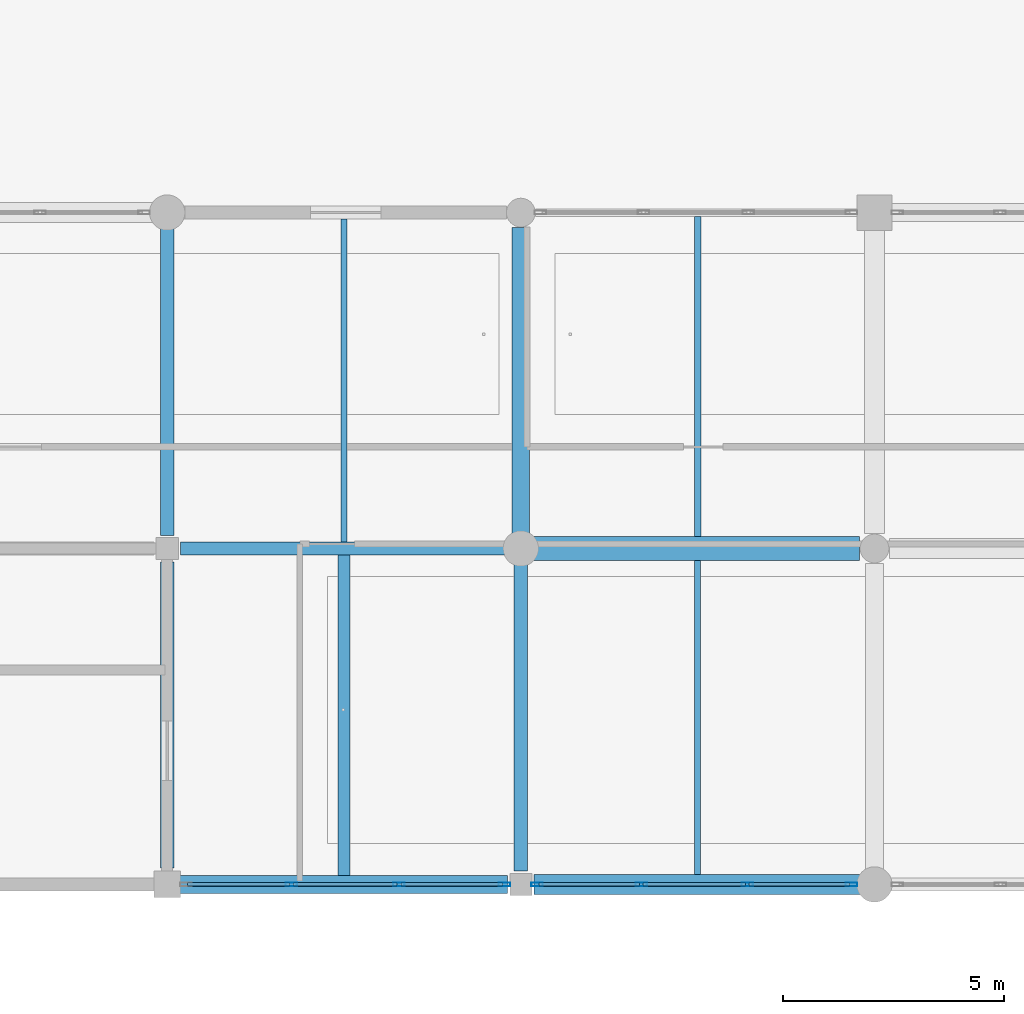
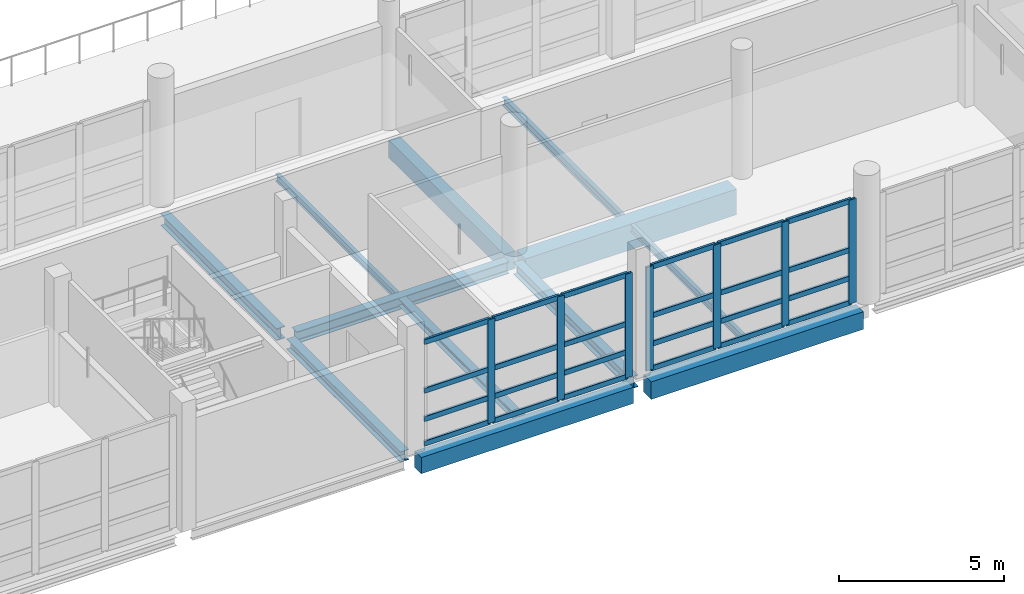
# One storey, part 26 of 147: 31 members, 12 beams, 2 elements without a shape of their own.
"""IFC4 building model written with IfcOpenShell, lengths in metres."""

from ifc_helpers import new_model, si_unit, direction, frame, origin, origin_2d, place, context, subcontext, project, spatial, rectangle, hollow_rectangle, i_section, extrude, material, material_profile, profile_set, type_object, element, aggregate, save


model = new_model("IFC4")

# Units and contexts
model_context = context("Model", 3, precision=1e-05, world=origin(), true_north=direction((0.0, 1.0)))
body_context = subcontext(model_context, "Body", "Model", "MODEL_VIEW")
ifc_project = project(units=[si_unit("LENGTHUNIT", "METRE"), si_unit("AREAUNIT", "SQUARE_METRE"), si_unit("VOLUMEUNIT", "CUBIC_METRE"), si_unit("PLANEANGLEUNIT", "RADIAN"), si_unit("MASSUNIT", "GRAM", prefix="KILO")], contexts=[model_context])

# Site, building, storey
site_placement = place(None, origin())
site = spatial("IfcSite", under=ifc_project, at=site_placement, CompositionType="ELEMENT")
building_placement = place(site_placement, origin())
building = spatial("IfcBuilding", under=site, at=building_placement, Name="Khelvaren Railside Concert Hall", CompositionType="ELEMENT")
storey_placement = place(building_placement, frame((0.0, 0.0, 5.39990234375)))
storey = spatial("IfcBuildingStorey", under=building, at=storey_placement, Name="L01", CompositionType="ELEMENT", Elevation=5.39990234375)

# Beams
ifc_material_1 = material(Name="Steel S355", Category="steel")
ifc_material_profile_1 = material_profile(ifc_material_1, i_section(OverallWidth=0.300048828125, OverallDepth=0.389892578125, WebThickness=0.010986328125, FlangeThickness=0.01904296875, FilletRadius=0.027099609375, at=origin_2d()), Name="HEA 400")
ifc_profile_set_1 = profile_set([ifc_material_profile_1], Name="Steel S355")
beam_type_1 = type_object("IfcBeamType", Name="BM23", PredefinedType="BEAM", material=ifc_profile_set_1)
beam_1_placement = place(storey_placement, frame((80.0, 0.375, -0.494873046875), z_axis=(0.0, 1.0, 0.0), x_axis=(-1.0, 0.0, 0.0)))
element("IfcBeam", 1, at=beam_1_placement, inside=storey, type_object=beam_type_1, Name="V3 L01 Beam Y3.1", PredefinedType="BEAM", context=body_context, shape_type="SweptSolid", body=[
    extrude(i_section(OverallWidth=0.300048828125, OverallDepth=0.389892578125, WebThickness=0.010986328125, FlangeThickness=0.01904296875, FilletRadius=0.027099609375, at=origin_2d()), origin(), (0.0, 0.0, 1.0), 6.925048828125),
])
ifc_material_2 = material(Name="Concrete C40/50", Category="concrete")
ifc_material_profile_2 = material_profile(ifc_material_2, rectangle(XDim=0.39990234375, YDim=0.64990234375, at=origin_2d()), Name="RCB 400x650")
ifc_profile_set_2 = profile_set([ifc_material_profile_2], Name="Concrete C40/50")
beam_type_2 = type_object("IfcBeamType", Name="BM33", PredefinedType="BEAM", material=ifc_profile_set_2)
beam_2_placement = place(storey_placement, frame((88.0, 7.85009765625, -0.625), z_axis=(0.0, 1.0, 0.0), x_axis=(-1.0, 0.0, 0.0)))
element("IfcBeam", 2, at=beam_2_placement, inside=storey, type_object=beam_type_2, Name="V3 L01 Beam Y4.2", PredefinedType="BEAM", context=body_context, shape_type="SweptSolid", body=[
    extrude(rectangle(XDim=0.39990234375, YDim=0.64990234375, at=origin_2d()), origin(), (0.0, 0.0, 1.0), 7.013916015625),
])
ifc_material_profile_3 = material_profile(ifc_material_1, i_section(OverallWidth=0.300048828125, OverallDepth=0.43994140625, WebThickness=0.011474609375, FlangeThickness=0.02099609375, FilletRadius=0.027099609375, at=origin_2d()), Name="HEA 450")
ifc_profile_set_3 = profile_set([ifc_material_profile_3], Name="Steel S355")
beam_type_3 = type_object("IfcBeamType", Name="BM89", PredefinedType="BEAM", material=ifc_profile_set_3)
beam_3_placement = place(storey_placement, frame((80.300048828125, 7.60009765625, -0.52001953125), z_axis=(1.0, 0.0, 0.0), x_axis=(0.0, 1.0, 0.0)))
element("IfcBeam", 3, at=beam_3_placement, inside=storey, type_object=beam_type_3, Name="V3 L01 Beam X2.3", PredefinedType="BEAM", context=body_context, shape_type="SweptSolid", body=[
    extrude(i_section(OverallWidth=0.300048828125, OverallDepth=0.43994140625, WebThickness=0.011474609375, FlangeThickness=0.02099609375, FilletRadius=0.027099609375, at=origin_2d()), origin(), (0.0, 0.0, 1.0), 7.449951171875),
])
for number, where, z_axis, x_axis, name in (
    (4, (80.0, 7.89990234375, -0.52001953125), (0.0, 1.0, 0.0), (-1.0, 0.0, 0.0), "V3 L01 Beam Y3.2"),
    (5, (88.0, 0.300048828125, -0.52001953125), (0.0, 1.0, 0.0), (-1.0, 0.0, 0.0), "V3 L01 Beam Y4.1"),
):
    element("IfcBeam", number, at=place(storey_placement, frame(where, z_axis=z_axis, x_axis=x_axis)), inside=storey, type_object=beam_type_3, Name=name, PredefinedType="BEAM", context=body_context, shape_type="SweptSolid", body=[
        extrude(i_section(OverallWidth=0.300048828125, OverallDepth=0.43994140625, WebThickness=0.011474609375, FlangeThickness=0.02099609375, FilletRadius=0.027099609375, at=origin_2d()), origin(), (0.0, 0.0, 1.0), 7.050048828125),
    ])

# Curtain wall, members
ifc_material_3 = material(Name="Acoustic laminated crystal facade glass", Category="glass")
curtain_wall_type_1 = type_object("IfcCurtainWallType", Name="CW66", PredefinedType="USERDEFINED", material=ifc_material_3)
curtain_wall_1_placement = place(storey_placement, origin())
curtain_wall_1 = element("IfcCurtainWall", 6, at=curtain_wall_1_placement, inside=storey, type_object=curtain_wall_type_1, Name="Unitised Curtain Wall CW-V3-L01-S-80", ObjectType="UNITISED CURTAIN WALL", PredefinedType="USERDEFINED")
ifc_material_4 = material(Name="Anodised architectural aluminium 6063-T6", Category="aluminium")
ifc_material_profile_4 = material_profile(ifc_material_4, hollow_rectangle(XDim=0.0849609375, YDim=0.260009765625, WallThickness=0.0048828125, InnerFilletRadius=0.0029296875, OuterFilletRadius=0.0048828125, at=origin_2d()), Name="CWM 85x260x5")
ifc_profile_set_4 = profile_set([ifc_material_profile_4], Name="Anodised architectural aluminium 6063-T6")
member_type_1 = type_object("IfcMemberType", Name="CWM40", PredefinedType="MULLION", material=ifc_profile_set_4)
member_1_placement = place(storey_placement, frame((87.6298828125, 0.0, 0.0), z_axis=(0.0, 0.0, 1.0), x_axis=(0.0, -1.0, 0.0)))
member_1 = element("IfcMember", 7, at=member_1_placement, type_object=member_type_1, Name="CW66 mullion 1", PredefinedType="MULLION", context=body_context, shape_type="SweptSolid", body=[
    extrude(hollow_rectangle(XDim=0.0849609375, YDim=0.260009765625, WallThickness=0.0048828125, InnerFilletRadius=0.0029296875, OuterFilletRadius=0.0048828125, at=origin_2d()), origin(), (0.0, 0.0, 1.0), 3.85009765625),
])
member_2_placement = place(storey_placement, frame((85.24072265625, 0.0, 0.0), z_axis=(0.0, 0.0, 1.0), x_axis=(0.0, -1.0, 0.0)))
member_2 = element("IfcMember", 8, at=member_2_placement, type_object=member_type_1, Name="CW66 mullion 2", PredefinedType="MULLION", context=body_context, shape_type="SweptSolid", body=[
    extrude(hollow_rectangle(XDim=0.0849609375, YDim=0.260009765625, WallThickness=0.0048828125, InnerFilletRadius=0.0029296875, OuterFilletRadius=0.0048828125, at=origin_2d()), origin(), (0.0, 0.0, 1.0), 3.85009765625),
])
member_3_placement = place(storey_placement, frame((82.80908203125, 0.0, 0.0), z_axis=(0.0, 0.0, 1.0), x_axis=(0.0, -1.0, 0.0)))
member_3 = element("IfcMember", 9, at=member_3_placement, type_object=member_type_1, Name="CW66 mullion 3", PredefinedType="MULLION", context=body_context, shape_type="SweptSolid", body=[
    extrude(hollow_rectangle(XDim=0.0849609375, YDim=0.260009765625, WallThickness=0.0048828125, InnerFilletRadius=0.0029296875, OuterFilletRadius=0.0048828125, at=origin_2d()), origin(), (0.0, 0.0, 1.0), 3.85009765625),
])

curtain_wall_type_2 = type_object("IfcCurtainWallType", Name="CW21", PredefinedType="USERDEFINED", material=ifc_material_3)
curtain_wall_2_placement = place(storey_placement, origin())
curtain_wall_2 = element("IfcCurtainWall", 10, at=curtain_wall_2_placement, inside=storey, type_object=curtain_wall_type_2, Name="Unitised Curtain Wall CW-V3-L01-S-88", ObjectType="UNITISED CURTAIN WALL", PredefinedType="USERDEFINED")
member_4_placement = place(storey_placement, frame((95.47998046875, 0.0, 0.0), z_axis=(0.0, 0.0, 1.0), x_axis=(0.0, -1.0, 0.0)))
member_4 = element("IfcMember", 11, at=member_4_placement, type_object=member_type_1, Name="CW21 mullion 1", PredefinedType="MULLION", context=body_context, shape_type="SweptSolid", body=[
    extrude(hollow_rectangle(XDim=0.0849609375, YDim=0.260009765625, WallThickness=0.0048828125, InnerFilletRadius=0.0029296875, OuterFilletRadius=0.0048828125, at=origin_2d()), origin(), (0.0, 0.0, 1.0), 3.85009765625),
])
member_5_placement = place(storey_placement, frame((93.124267578125, 0.0, 0.0), z_axis=(0.0, 0.0, 1.0), x_axis=(0.0, -1.0, 0.0)))
member_5 = element("IfcMember", 12, at=member_5_placement, type_object=member_type_1, Name="CW21 mullion 2", PredefinedType="MULLION", context=body_context, shape_type="SweptSolid", body=[
    extrude(hollow_rectangle(XDim=0.0849609375, YDim=0.260009765625, WallThickness=0.0048828125, InnerFilletRadius=0.0029296875, OuterFilletRadius=0.0048828125, at=origin_2d()), origin(), (0.0, 0.0, 1.0), 3.85009765625),
])
member_6_placement = place(storey_placement, frame((90.725830078125, 0.0, 0.0), z_axis=(0.0, 0.0, 1.0), x_axis=(0.0, -1.0, 0.0)))
member_6 = element("IfcMember", 13, at=member_6_placement, type_object=member_type_1, Name="CW21 mullion 3", PredefinedType="MULLION", context=body_context, shape_type="SweptSolid", body=[
    extrude(hollow_rectangle(XDim=0.0849609375, YDim=0.260009765625, WallThickness=0.0048828125, InnerFilletRadius=0.0029296875, OuterFilletRadius=0.0048828125, at=origin_2d()), origin(), (0.0, 0.0, 1.0), 3.85009765625),
])
member_7_placement = place(storey_placement, frame((88.3701171875, 0.0, 0.0), z_axis=(0.0, 0.0, 1.0), x_axis=(0.0, -1.0, 0.0)))
member_7 = element("IfcMember", 14, at=member_7_placement, type_object=member_type_1, Name="CW21 mullion 4", PredefinedType="MULLION", context=body_context, shape_type="SweptSolid", body=[
    extrude(hollow_rectangle(XDim=0.0849609375, YDim=0.260009765625, WallThickness=0.0048828125, InnerFilletRadius=0.0029296875, OuterFilletRadius=0.0048828125, at=origin_2d()), origin(), (0.0, 0.0, 1.0), 3.85009765625),
])

# Member
ifc_material_profile_5 = material_profile(ifc_material_4, hollow_rectangle(XDim=0.0849609375, YDim=0.18994140625, WallThickness=0.0048828125, InnerFilletRadius=0.0029296875, OuterFilletRadius=0.0048828125, at=origin_2d()), Name="CWT 85x190x5")
ifc_profile_set_5 = profile_set([ifc_material_profile_5], Name="Anodised architectural aluminium 6063-T6")
member_type_2 = type_object("IfcMemberType", Name="CWT31", PredefinedType="USERDEFINED", material=ifc_profile_set_5)
member_8_placement = place(storey_placement, frame((87.58740234375, 0.0, 0.04248046875), z_axis=(-1.0, 0.0, 0.0), x_axis=(0.0, -1.0, 0.0)))
member_8 = element("IfcMember", 15, at=member_8_placement, type_object=member_type_2, Name="CW66 transom 1.1", ObjectType="TRANSOM", PredefinedType="USERDEFINED", context=body_context, shape_type="SweptSolid", body=[
    extrude(hollow_rectangle(XDim=0.0849609375, YDim=0.18994140625, WallThickness=0.0048828125, InnerFilletRadius=0.0029296875, OuterFilletRadius=0.0048828125, at=origin_2d()), origin(), (0.0, 0.0, 1.0), 2.303955078125),
])

member_9_placement = place(storey_placement, frame((87.58740234375, 0.0, 0.9501953125), z_axis=(-1.0, 0.0, 0.0), x_axis=(0.0, -1.0, 0.0)))
member_9 = element("IfcMember", 16, at=member_9_placement, type_object=member_type_2, Name="CW66 transom 1.2", ObjectType="TRANSOM", PredefinedType="USERDEFINED", context=body_context, shape_type="SweptSolid", body=[
    extrude(hollow_rectangle(XDim=0.0849609375, YDim=0.18994140625, WallThickness=0.0048828125, InnerFilletRadius=0.0029296875, OuterFilletRadius=0.0048828125, at=origin_2d()), origin(), (0.0, 0.0, 1.0), 2.303955078125),
])

member_10_placement = place(storey_placement, frame((87.58740234375, 0.0, 2.002197265625), z_axis=(-1.0, 0.0, 0.0), x_axis=(0.0, -1.0, 0.0)))
member_10 = element("IfcMember", 17, at=member_10_placement, type_object=member_type_2, Name="CW66 transom 1.3", ObjectType="TRANSOM", PredefinedType="USERDEFINED", context=body_context, shape_type="SweptSolid", body=[
    extrude(hollow_rectangle(XDim=0.0849609375, YDim=0.18994140625, WallThickness=0.0048828125, InnerFilletRadius=0.0029296875, OuterFilletRadius=0.0048828125, at=origin_2d()), origin(), (0.0, 0.0, 1.0), 2.303955078125),
])

member_11_placement = place(storey_placement, frame((87.58740234375, 0.0, 3.8076171875), z_axis=(-1.0, 0.0, 0.0), x_axis=(0.0, -1.0, 0.0)))
member_11 = element("IfcMember", 18, at=member_11_placement, type_object=member_type_2, Name="CW66 transom 1.4", ObjectType="TRANSOM", PredefinedType="USERDEFINED", context=body_context, shape_type="SweptSolid", body=[
    extrude(hollow_rectangle(XDim=0.0849609375, YDim=0.18994140625, WallThickness=0.0048828125, InnerFilletRadius=0.0029296875, OuterFilletRadius=0.0048828125, at=origin_2d()), origin(), (0.0, 0.0, 1.0), 2.303955078125),
])

member_12_placement = place(storey_placement, frame((85.1982421875, 0.0, 0.04248046875), z_axis=(-1.0, 0.0, 0.0), x_axis=(0.0, -1.0, 0.0)))
member_12 = element("IfcMember", 19, at=member_12_placement, type_object=member_type_2, Name="CW66 transom 2.1", ObjectType="TRANSOM", PredefinedType="USERDEFINED", context=body_context, shape_type="SweptSolid", body=[
    extrude(hollow_rectangle(XDim=0.0849609375, YDim=0.18994140625, WallThickness=0.0048828125, InnerFilletRadius=0.0029296875, OuterFilletRadius=0.0048828125, at=origin_2d()), origin(), (0.0, 0.0, 1.0), 2.3466796875),
])

member_13_placement = place(storey_placement, frame((85.1982421875, 0.0, 0.9501953125), z_axis=(-1.0, 0.0, 0.0), x_axis=(0.0, -1.0, 0.0)))
member_13 = element("IfcMember", 20, at=member_13_placement, type_object=member_type_2, Name="CW66 transom 2.2", ObjectType="TRANSOM", PredefinedType="USERDEFINED", context=body_context, shape_type="SweptSolid", body=[
    extrude(hollow_rectangle(XDim=0.0849609375, YDim=0.18994140625, WallThickness=0.0048828125, InnerFilletRadius=0.0029296875, OuterFilletRadius=0.0048828125, at=origin_2d()), origin(), (0.0, 0.0, 1.0), 2.3466796875),
])

member_14_placement = place(storey_placement, frame((85.1982421875, 0.0, 2.002197265625), z_axis=(-1.0, 0.0, 0.0), x_axis=(0.0, -1.0, 0.0)))
member_14 = element("IfcMember", 21, at=member_14_placement, type_object=member_type_2, Name="CW66 transom 2.3", ObjectType="TRANSOM", PredefinedType="USERDEFINED", context=body_context, shape_type="SweptSolid", body=[
    extrude(hollow_rectangle(XDim=0.0849609375, YDim=0.18994140625, WallThickness=0.0048828125, InnerFilletRadius=0.0029296875, OuterFilletRadius=0.0048828125, at=origin_2d()), origin(), (0.0, 0.0, 1.0), 2.3466796875),
])

member_15_placement = place(storey_placement, frame((85.1982421875, 0.0, 3.8076171875), z_axis=(-1.0, 0.0, 0.0), x_axis=(0.0, -1.0, 0.0)))
member_15 = element("IfcMember", 22, at=member_15_placement, type_object=member_type_2, Name="CW66 transom 2.4", ObjectType="TRANSOM", PredefinedType="USERDEFINED", context=body_context, shape_type="SweptSolid", body=[
    extrude(hollow_rectangle(XDim=0.0849609375, YDim=0.18994140625, WallThickness=0.0048828125, InnerFilletRadius=0.0029296875, OuterFilletRadius=0.0048828125, at=origin_2d()), origin(), (0.0, 0.0, 1.0), 2.3466796875),
])

member_16_placement = place(storey_placement, frame((82.7666015625, 0.0, 0.04248046875), z_axis=(-1.0, 0.0, 0.0), x_axis=(0.0, -1.0, 0.0)))
member_16 = element("IfcMember", 23, at=member_16_placement, type_object=member_type_2, Name="CW66 transom 3.1", ObjectType="TRANSOM", PredefinedType="USERDEFINED", context=body_context, shape_type="SweptSolid", body=[
    extrude(hollow_rectangle(XDim=0.0849609375, YDim=0.18994140625, WallThickness=0.0048828125, InnerFilletRadius=0.0029296875, OuterFilletRadius=0.0048828125, at=origin_2d()), origin(), (0.0, 0.0, 1.0), 2.30419921875),
])

member_17_placement = place(storey_placement, frame((82.7666015625, 0.0, 0.9501953125), z_axis=(-1.0, 0.0, 0.0), x_axis=(0.0, -1.0, 0.0)))
member_17 = element("IfcMember", 24, at=member_17_placement, type_object=member_type_2, Name="CW66 transom 3.2", ObjectType="TRANSOM", PredefinedType="USERDEFINED", context=body_context, shape_type="SweptSolid", body=[
    extrude(hollow_rectangle(XDim=0.0849609375, YDim=0.18994140625, WallThickness=0.0048828125, InnerFilletRadius=0.0029296875, OuterFilletRadius=0.0048828125, at=origin_2d()), origin(), (0.0, 0.0, 1.0), 2.30419921875),
])

member_18_placement = place(storey_placement, frame((82.7666015625, 0.0, 2.002197265625), z_axis=(-1.0, 0.0, 0.0), x_axis=(0.0, -1.0, 0.0)))
member_18 = element("IfcMember", 25, at=member_18_placement, type_object=member_type_2, Name="CW66 transom 3.3", ObjectType="TRANSOM", PredefinedType="USERDEFINED", context=body_context, shape_type="SweptSolid", body=[
    extrude(hollow_rectangle(XDim=0.0849609375, YDim=0.18994140625, WallThickness=0.0048828125, InnerFilletRadius=0.0029296875, OuterFilletRadius=0.0048828125, at=origin_2d()), origin(), (0.0, 0.0, 1.0), 2.30419921875),
])

member_19_placement = place(storey_placement, frame((82.7666015625, 0.0, 3.8076171875), z_axis=(-1.0, 0.0, 0.0), x_axis=(0.0, -1.0, 0.0)))
member_19 = element("IfcMember", 26, at=member_19_placement, type_object=member_type_2, Name="CW66 transom 3.4", ObjectType="TRANSOM", PredefinedType="USERDEFINED", context=body_context, shape_type="SweptSolid", body=[
    extrude(hollow_rectangle(XDim=0.0849609375, YDim=0.18994140625, WallThickness=0.0048828125, InnerFilletRadius=0.0029296875, OuterFilletRadius=0.0048828125, at=origin_2d()), origin(), (0.0, 0.0, 1.0), 2.30419921875),
])

aggregate(curtain_wall_1, [member_1, member_2, member_3, member_8, member_9, member_10, member_11, member_12, member_13, member_14, member_15, member_16, member_17, member_18, member_19])

member_20_placement = place(storey_placement, frame((95.4375, 0.0, 0.04248046875), z_axis=(-1.0, 0.0, 0.0), x_axis=(0.0, -1.0, 0.0)))
member_20 = element("IfcMember", 27, at=member_20_placement, type_object=member_type_2, Name="CW21 transom 1.1", ObjectType="TRANSOM", PredefinedType="USERDEFINED", context=body_context, shape_type="SweptSolid", body=[
    extrude(hollow_rectangle(XDim=0.0849609375, YDim=0.18994140625, WallThickness=0.0048828125, InnerFilletRadius=0.0029296875, OuterFilletRadius=0.0048828125, at=origin_2d()), origin(), (0.0, 0.0, 1.0), 2.270751953125),
])

member_21_placement = place(storey_placement, frame((95.4375, 0.0, 0.9501953125), z_axis=(-1.0, 0.0, 0.0), x_axis=(0.0, -1.0, 0.0)))
member_21 = element("IfcMember", 28, at=member_21_placement, type_object=member_type_2, Name="CW21 transom 1.2", ObjectType="TRANSOM", PredefinedType="USERDEFINED", context=body_context, shape_type="SweptSolid", body=[
    extrude(hollow_rectangle(XDim=0.0849609375, YDim=0.18994140625, WallThickness=0.0048828125, InnerFilletRadius=0.0029296875, OuterFilletRadius=0.0048828125, at=origin_2d()), origin(), (0.0, 0.0, 1.0), 2.270751953125),
])

member_22_placement = place(storey_placement, frame((95.4375, 0.0, 2.002197265625), z_axis=(-1.0, 0.0, 0.0), x_axis=(0.0, -1.0, 0.0)))
member_22 = element("IfcMember", 29, at=member_22_placement, type_object=member_type_2, Name="CW21 transom 1.3", ObjectType="TRANSOM", PredefinedType="USERDEFINED", context=body_context, shape_type="SweptSolid", body=[
    extrude(hollow_rectangle(XDim=0.0849609375, YDim=0.18994140625, WallThickness=0.0048828125, InnerFilletRadius=0.0029296875, OuterFilletRadius=0.0048828125, at=origin_2d()), origin(), (0.0, 0.0, 1.0), 2.270751953125),
])

member_23_placement = place(storey_placement, frame((95.4375, 0.0, 3.8076171875), z_axis=(-1.0, 0.0, 0.0), x_axis=(0.0, -1.0, 0.0)))
member_23 = element("IfcMember", 30, at=member_23_placement, type_object=member_type_2, Name="CW21 transom 1.4", ObjectType="TRANSOM", PredefinedType="USERDEFINED", context=body_context, shape_type="SweptSolid", body=[
    extrude(hollow_rectangle(XDim=0.0849609375, YDim=0.18994140625, WallThickness=0.0048828125, InnerFilletRadius=0.0029296875, OuterFilletRadius=0.0048828125, at=origin_2d()), origin(), (0.0, 0.0, 1.0), 2.270751953125),
])

member_24_placement = place(storey_placement, frame((93.081787109375, 0.0, 0.04248046875), z_axis=(-1.0, 0.0, 0.0), x_axis=(0.0, -1.0, 0.0)))
member_24 = element("IfcMember", 31, at=member_24_placement, type_object=member_type_2, Name="CW21 transom 2.1", ObjectType="TRANSOM", PredefinedType="USERDEFINED", context=body_context, shape_type="SweptSolid", body=[
    extrude(hollow_rectangle(XDim=0.0849609375, YDim=0.18994140625, WallThickness=0.0048828125, InnerFilletRadius=0.0029296875, OuterFilletRadius=0.0048828125, at=origin_2d()), origin(), (0.0, 0.0, 1.0), 2.3134765625),
])

member_25_placement = place(storey_placement, frame((93.081787109375, 0.0, 0.9501953125), z_axis=(-1.0, 0.0, 0.0), x_axis=(0.0, -1.0, 0.0)))
member_25 = element("IfcMember", 32, at=member_25_placement, type_object=member_type_2, Name="CW21 transom 2.2", ObjectType="TRANSOM", PredefinedType="USERDEFINED", context=body_context, shape_type="SweptSolid", body=[
    extrude(hollow_rectangle(XDim=0.0849609375, YDim=0.18994140625, WallThickness=0.0048828125, InnerFilletRadius=0.0029296875, OuterFilletRadius=0.0048828125, at=origin_2d()), origin(), (0.0, 0.0, 1.0), 2.3134765625),
])

member_26_placement = place(storey_placement, frame((93.081787109375, 0.0, 2.002197265625), z_axis=(-1.0, 0.0, 0.0), x_axis=(0.0, -1.0, 0.0)))
member_26 = element("IfcMember", 33, at=member_26_placement, type_object=member_type_2, Name="CW21 transom 2.3", ObjectType="TRANSOM", PredefinedType="USERDEFINED", context=body_context, shape_type="SweptSolid", body=[
    extrude(hollow_rectangle(XDim=0.0849609375, YDim=0.18994140625, WallThickness=0.0048828125, InnerFilletRadius=0.0029296875, OuterFilletRadius=0.0048828125, at=origin_2d()), origin(), (0.0, 0.0, 1.0), 2.3134765625),
])

member_27_placement = place(storey_placement, frame((93.081787109375, 0.0, 3.8076171875), z_axis=(-1.0, 0.0, 0.0), x_axis=(0.0, -1.0, 0.0)))
member_27 = element("IfcMember", 34, at=member_27_placement, type_object=member_type_2, Name="CW21 transom 2.4", ObjectType="TRANSOM", PredefinedType="USERDEFINED", context=body_context, shape_type="SweptSolid", body=[
    extrude(hollow_rectangle(XDim=0.0849609375, YDim=0.18994140625, WallThickness=0.0048828125, InnerFilletRadius=0.0029296875, OuterFilletRadius=0.0048828125, at=origin_2d()), origin(), (0.0, 0.0, 1.0), 2.3134765625),
])

member_28_placement = place(storey_placement, frame((90.683349609375, 0.0, 0.04248046875), z_axis=(-1.0, 0.0, 0.0), x_axis=(0.0, -1.0, 0.0)))
member_28 = element("IfcMember", 35, at=member_28_placement, type_object=member_type_2, Name="CW21 transom 3.1", ObjectType="TRANSOM", PredefinedType="USERDEFINED", context=body_context, shape_type="SweptSolid", body=[
    extrude(hollow_rectangle(XDim=0.0849609375, YDim=0.18994140625, WallThickness=0.0048828125, InnerFilletRadius=0.0029296875, OuterFilletRadius=0.0048828125, at=origin_2d()), origin(), (0.0, 0.0, 1.0), 2.270751953125),
])

member_29_placement = place(storey_placement, frame((90.683349609375, 0.0, 0.9501953125), z_axis=(-1.0, 0.0, 0.0), x_axis=(0.0, -1.0, 0.0)))
member_29 = element("IfcMember", 36, at=member_29_placement, type_object=member_type_2, Name="CW21 transom 3.2", ObjectType="TRANSOM", PredefinedType="USERDEFINED", context=body_context, shape_type="SweptSolid", body=[
    extrude(hollow_rectangle(XDim=0.0849609375, YDim=0.18994140625, WallThickness=0.0048828125, InnerFilletRadius=0.0029296875, OuterFilletRadius=0.0048828125, at=origin_2d()), origin(), (0.0, 0.0, 1.0), 2.270751953125),
])

member_30_placement = place(storey_placement, frame((90.683349609375, 0.0, 2.002197265625), z_axis=(-1.0, 0.0, 0.0), x_axis=(0.0, -1.0, 0.0)))
member_30 = element("IfcMember", 37, at=member_30_placement, type_object=member_type_2, Name="CW21 transom 3.3", ObjectType="TRANSOM", PredefinedType="USERDEFINED", context=body_context, shape_type="SweptSolid", body=[
    extrude(hollow_rectangle(XDim=0.0849609375, YDim=0.18994140625, WallThickness=0.0048828125, InnerFilletRadius=0.0029296875, OuterFilletRadius=0.0048828125, at=origin_2d()), origin(), (0.0, 0.0, 1.0), 2.270751953125),
])

member_31_placement = place(storey_placement, frame((90.683349609375, 0.0, 3.8076171875), z_axis=(-1.0, 0.0, 0.0), x_axis=(0.0, -1.0, 0.0)))
member_31 = element("IfcMember", 38, at=member_31_placement, type_object=member_type_2, Name="CW21 transom 3.4", ObjectType="TRANSOM", PredefinedType="USERDEFINED", context=body_context, shape_type="SweptSolid", body=[
    extrude(hollow_rectangle(XDim=0.0849609375, YDim=0.18994140625, WallThickness=0.0048828125, InnerFilletRadius=0.0029296875, OuterFilletRadius=0.0048828125, at=origin_2d()), origin(), (0.0, 0.0, 1.0), 2.270751953125),
])

aggregate(curtain_wall_2, [member_4, member_5, member_6, member_7, member_20, member_21, member_22, member_23, member_24, member_25, member_26, member_27, member_28, member_29, member_30, member_31])

# Beams
ifc_material_profile_6 = material_profile(ifc_material_2, rectangle(XDim=0.550048828125, YDim=0.949951171875, at=origin_2d()), Name="RCB 550x950")
ifc_profile_set_6 = profile_set([ifc_material_profile_6], Name="Concrete C40/50")
beam_type_4 = type_object("IfcBeamType", Name="GR57", PredefinedType="T_BEAM", material=ifc_profile_set_6)
beam_4_placement = place(storey_placement, frame((88.25, 7.60009765625, -0.77490234375), z_axis=(1.0, 0.0, 0.0), x_axis=(0.0, 1.0, 0.0)))
element("IfcBeam", 39, at=beam_4_placement, inside=storey, type_object=beam_type_4, Name="V3 L01 T_Beam X2.4", PredefinedType="T_BEAM", context=body_context, shape_type="SweptSolid", body=[
    extrude(rectangle(XDim=0.550048828125, YDim=0.949951171875, at=origin_2d()), origin(), (0.0, 0.0, 1.0), 7.4140625),
])
ifc_material_profile_7 = material_profile(ifc_material_1, i_section(OverallWidth=0.14990234375, OverallDepth=0.300048828125, WebThickness=0.007080078125, FlangeThickness=0.0107421875, FilletRadius=0.014892578125, at=origin_2d()), Name="IPE 300")
ifc_profile_set_7 = profile_set([ifc_material_profile_7], Name="Steel S355")
beam_type_5 = type_object("IfcBeamType", Name="JS26", PredefinedType="JOIST", material=ifc_profile_set_7)
beam_5_placement = place(storey_placement, frame((92.0, 7.875, -0.449951171875), z_axis=(0.0, 1.0, 0.0), x_axis=(-1.0, 0.0, 0.0)))
element("IfcBeam", 40, at=beam_5_placement, inside=storey, type_object=beam_type_5, Name="V3 L01 Secondary Joist 4.2", PredefinedType="JOIST", context=body_context, shape_type="SweptSolid", body=[
    extrude(i_section(OverallWidth=0.14990234375, OverallDepth=0.300048828125, WebThickness=0.007080078125, FlangeThickness=0.0107421875, FilletRadius=0.014892578125, at=origin_2d()), origin(), (0.0, 0.0, 1.0), 7.239990234375),
])
ifc_material_profile_8 = material_profile(ifc_material_1, i_section(OverallWidth=0.280029296875, OverallDepth=0.27001953125, WebThickness=0.008056640625, FlangeThickness=0.012939453125, FilletRadius=0.02392578125, at=origin_2d()), Name="HEA 280")
ifc_profile_set_8 = profile_set([ifc_material_profile_8], Name="Steel S355")
beam_type_6 = type_object("IfcBeamType", Name="JS46", PredefinedType="JOIST", material=ifc_profile_set_8)
beam_6_placement = place(storey_placement, frame((84.0, 0.199951171875, -0.434814453125), z_axis=(0.0, 1.0, 0.0), x_axis=(-1.0, 0.0, 0.0)))
element("IfcBeam", 41, at=beam_6_placement, inside=storey, type_object=beam_type_6, Name="V3 L01 Secondary Joist 3.1", PredefinedType="JOIST", context=body_context, shape_type="SweptSolid", body=[
    extrude(i_section(OverallWidth=0.280029296875, OverallDepth=0.27001953125, WebThickness=0.008056640625, FlangeThickness=0.012939453125, FilletRadius=0.02392578125, at=origin_2d()), origin(), (0.0, 0.0, 1.0), 7.25),
])
ifc_material_profile_9 = material_profile(ifc_material_1, i_section(OverallWidth=0.135009765625, OverallDepth=0.27001953125, WebThickness=0.006591796875, FlangeThickness=0.01025390625, FilletRadius=0.014892578125, at=origin_2d()), Name="IPE 270")
ifc_profile_set_9 = profile_set([ifc_material_profile_9], Name="Steel S355")
beam_type_7 = type_object("IfcBeamType", Name="JS78", PredefinedType="JOIST", material=ifc_profile_set_9)
beam_7_placement = place(storey_placement, frame((84.0, 7.75, -0.434814453125), z_axis=(0.0, 1.0, 0.0), x_axis=(-1.0, 0.0, 0.0)))
element("IfcBeam", 42, at=beam_7_placement, inside=storey, type_object=beam_type_7, Name="V3 L01 Secondary Joist 3.2", PredefinedType="JOIST", context=body_context, shape_type="SweptSolid", body=[
    extrude(i_section(OverallWidth=0.135009765625, OverallDepth=0.27001953125, WebThickness=0.006591796875, FlangeThickness=0.01025390625, FilletRadius=0.014892578125, at=origin_2d()), origin(), (0.0, 0.0, 1.0), 7.300048828125),
])
beam_8_placement = place(storey_placement, frame((92.0, 0.22509765625, -0.434814453125), z_axis=(0.0, 1.0, 0.0), x_axis=(-1.0, 0.0, 0.0)))
element("IfcBeam", 43, at=beam_8_placement, inside=storey, type_object=beam_type_7, Name="V3 L01 Secondary Joist 4.1", PredefinedType="JOIST", context=body_context, shape_type="SweptSolid", body=[
    extrude(i_section(OverallWidth=0.135009765625, OverallDepth=0.27001953125, WebThickness=0.006591796875, FlangeThickness=0.01025390625, FilletRadius=0.014892578125, at=origin_2d()), origin(), (0.0, 0.0, 1.0), 7.099853515625),
])
ifc_material_profile_10 = material_profile(ifc_material_2, rectangle(XDim=0.449951171875, YDim=0.64990234375, at=origin_2d()), Name="RCB 450x650")
ifc_profile_set_10 = profile_set([ifc_material_profile_10], Name="Concrete C40/50")
beam_type_8 = type_object("IfcBeamType", Name="SP34", PredefinedType="SPANDREL", material=ifc_profile_set_10)
beam_9_placement = place(storey_placement, frame((88.300048828125, 0.0, -0.625), z_axis=(1.0, 0.0, 0.0), x_axis=(0.0, 1.0, 0.0)))
element("IfcBeam", 44, at=beam_9_placement, inside=storey, type_object=beam_type_8, Name="V3 L01 Spandrel X1.4", PredefinedType="SPANDREL", context=body_context, shape_type="SweptSolid", body=[
    extrude(rectangle(XDim=0.449951171875, YDim=0.64990234375, at=origin_2d()), origin(), (0.0, 0.0, 1.0), 7.449951171875),
])
ifc_material_profile_11 = material_profile(ifc_material_2, rectangle(XDim=0.39990234375, YDim=0.60009765625, at=origin_2d()), Name="RCB 400x600")
ifc_profile_set_11 = profile_set([ifc_material_profile_11], Name="Concrete C40/50")
beam_type_9 = type_object("IfcBeamType", Name="SP75", PredefinedType="SPANDREL", material=ifc_profile_set_11)
beam_10_placement = place(storey_placement, frame((80.25, 0.0, -0.599853515625), z_axis=(1.0, 0.0, 0.0), x_axis=(0.0, 1.0, 0.0)))
element("IfcBeam", 45, at=beam_10_placement, inside=storey, type_object=beam_type_9, Name="V3 L01 Spandrel X1.3", PredefinedType="SPANDREL", context=body_context, shape_type="SweptSolid", body=[
    extrude(rectangle(XDim=0.39990234375, YDim=0.60009765625, at=origin_2d()), origin(), (0.0, 0.0, 1.0), 7.449951171875),
])

save(model, "model.ifc")
